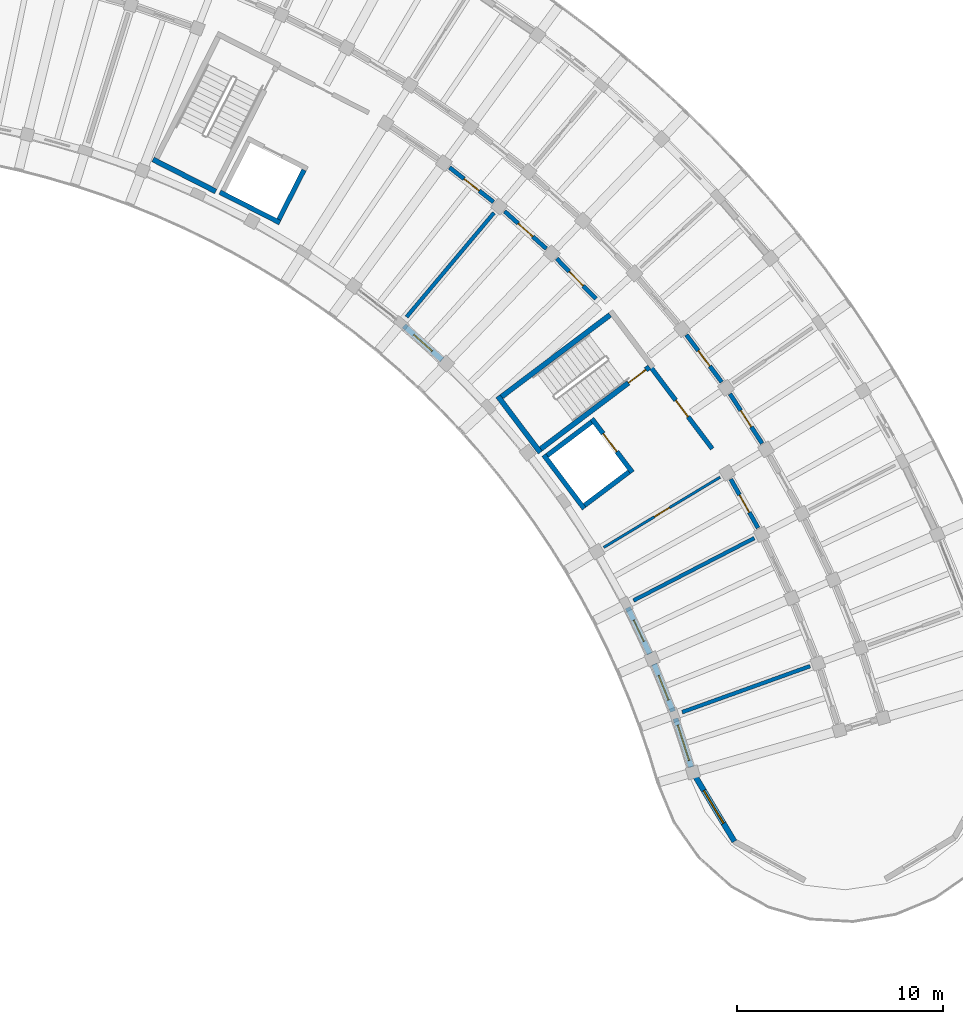
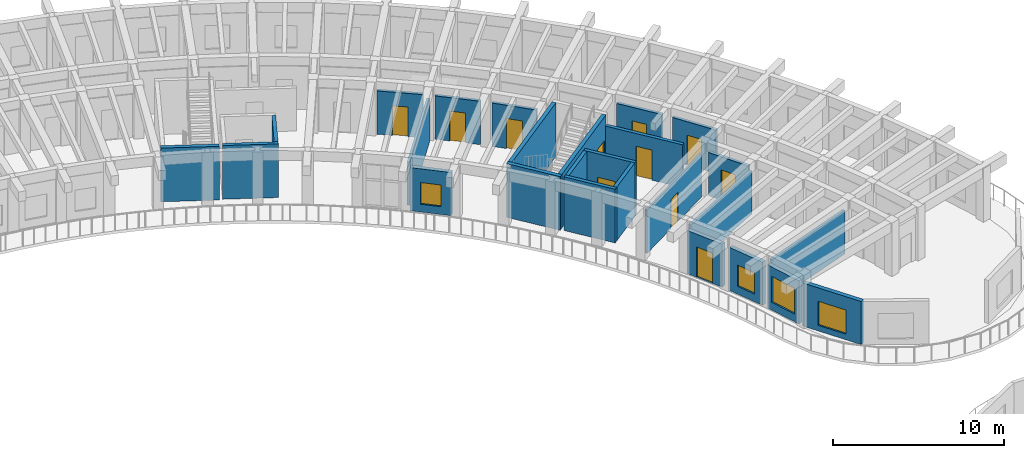
# One storey, part 98 of 128: 26 walls, 11 doors, 4 windows, 15 openings.
"""IFC4 building model written with IfcOpenShell, lengths in metres."""

from ifc_helpers import new_model, si_unit, direction, frame, frame_2d, origin, place, context, subcontext, project, spatial, rectangle, extrude, material, layer, layer_set, type_object, element, fill, save


model = new_model("IFC4")

# Units and contexts
model_context = context("Model", 3, precision=1e-05, world=origin(), true_north=direction((0.0, 1.0)))
body_context = subcontext(model_context, "Body", "Model", "MODEL_VIEW")
ifc_project = project(units=[si_unit("LENGTHUNIT", "METRE"), si_unit("AREAUNIT", "SQUARE_METRE"), si_unit("VOLUMEUNIT", "CUBIC_METRE"), si_unit("PLANEANGLEUNIT", "RADIAN"), si_unit("MASSUNIT", "GRAM", prefix="KILO")], contexts=[model_context])

# Site, building, storey
site_placement = place(None, origin())
site = spatial("IfcSite", under=ifc_project, at=site_placement, CompositionType="ELEMENT")
building_placement = place(site_placement, origin())
building = spatial("IfcBuilding", under=site, at=building_placement, Name="Tanwirah Colonnade Gardens", CompositionType="ELEMENT")
storey_placement = place(building_placement, frame((0.0, 0.0, 4.760009765625)))
storey = spatial("IfcBuildingStorey", under=building, at=storey_placement, Name="L01", CompositionType="ELEMENT", Elevation=4.760009765625)

# Wall, opening, window
ifc_material_1 = material(Name="Limestone architectural precast concrete C40/50", Category="masonry")
ifc_layer_1 = layer(ifc_material_1, 0.27001953125)
ifc_layer_set_1 = layer_set([ifc_layer_1], Name="Limestone architectural precast concrete C40/50")
wall_type_1 = type_object("IfcWallType", Name="EW-PC270", PredefinedType="SOLIDWALL", material=ifc_layer_set_1)
wall_1_placement = place(storey_placement, frame((163.645263671875, 72.708984375, 0.0), z_axis=(0.0, 0.0, 1.0), x_axis=(-0.307206966374, 0.951642726979, 0.0)))
wall_1 = element("IfcWall", 1, at=wall_1_placement, inside=storey, type_object=wall_type_1, Name="Block B L01 IN Precast Facade Wall 0", PredefinedType="SOLIDWALL", context=body_context, shape_type="SweptSolid", body=[
    extrude(rectangle(XDim=2.480224609375, YDim=0.27001953125, at=frame_2d((1.240234375, 0.0))), origin(), (0.0, 0.0, 1.0), 3.074951171875),
])
opening_1_placement = place(wall_1_placement, frame((0.340087890625, 0.0, 0.550048828125)))
opening_1 = element("IfcOpeningElement", 2, at=opening_1_placement, cuts=wall_1, Name="Opening WIN-T14", PredefinedType="OPENING", context=body_context, shape_type="SweptSolid", body=[
    extrude(rectangle(XDim=1.800048828125, YDim=1.85009765625, at=frame_2d((0.89990234375, 0.925048828125))), frame((0.0, 0.14501953125, 0.0), z_axis=(0.0, -1.0, 0.0), x_axis=(1.0, 0.0, 0.0)), (0.0, 0.0, 1.0), 0.2900390625),
])
ifc_material_2 = material(Name="Thermally broken bronze aluminium and solar low-E double glazing", Category="aluminium")
window_type_1 = type_object("IfcWindowType", Name="WIN-T14", PartitioningType="TRIPLE_PANEL_VERTICAL", PredefinedType="WINDOW", material=ifc_material_2)
window_1_placement = place(opening_1_placement, origin())
window_1 = element("IfcWindow", 3, at=window_1_placement, inside=storey, type_object=window_type_1, Name="Facade window B-L01-IN-00", OverallHeight=1.85009765625, OverallWidth=1.800048828125, PartitioningType="SINGLE_PANEL", PredefinedType="WINDOW", context=body_context, shape_type="SweptSolid", body=[
    extrude(rectangle(XDim=1.800048828125, YDim=1.85009765625, at=frame_2d((0.89990234375, 0.925048828125))), frame((0.0, 0.030029296875, 0.0), z_axis=(0.0, -1.0, 0.0), x_axis=(1.0, 0.0, 0.0)), (0.0, 0.0, 1.0), 0.06005859375),
])
fill(opening_1, window_1)

wall_2_placement = place(storey_placement, frame((162.761474609375, 75.407958984375, 0.0), z_axis=(0.0, 0.0, 1.0), x_axis=(-0.369234261829, 0.929336354552, 0.0)))
wall_2 = element("IfcWall", 4, at=wall_2_placement, inside=storey, type_object=wall_type_1, Name="Block B L01 IN Precast Facade Wall 1", PredefinedType="SOLIDWALL", context=body_context, shape_type="SweptSolid", body=[
    extrude(rectangle(XDim=2.480224609375, YDim=0.27001953125, at=frame_2d((1.240234375, 0.0))), origin(), (0.0, 0.0, 1.0), 3.074951171875),
])
opening_2_placement = place(wall_2_placement, frame((0.60009765625, 0.0, 0.550048828125)))
opening_2 = element("IfcOpeningElement", 5, at=opening_2_placement, cuts=wall_2, Name="Opening WIN-T17", PredefinedType="OPENING", context=body_context, shape_type="SweptSolid", body=[
    extrude(rectangle(XDim=1.280029296875, YDim=1.52001953125, at=frame_2d((0.64013671875, 0.760009765625))), frame((0.0, 0.14501953125, 0.0), z_axis=(0.0, -1.0, 0.0), x_axis=(1.0, 0.0, 0.0)), (0.0, 0.0, 1.0), 0.2900390625),
])
window_type_2 = type_object("IfcWindowType", Name="WIN-T17", PartitioningType="SINGLE_PANEL", PredefinedType="WINDOW", material=ifc_material_2)
window_2_placement = place(opening_2_placement, origin())
window_2 = element("IfcWindow", 6, at=window_2_placement, inside=storey, type_object=window_type_2, Name="Facade window B-L01-IN-01", OverallHeight=1.52001953125, OverallWidth=1.280029296875, PartitioningType="SINGLE_PANEL", PredefinedType="WINDOW", context=body_context, shape_type="SweptSolid", body=[
    extrude(rectangle(XDim=1.280029296875, YDim=1.52001953125, at=frame_2d((0.64013671875, 0.760009765625))), frame((0.0, 0.030029296875, 0.0), z_axis=(0.0, -1.0, 0.0), x_axis=(1.0, 0.0, 0.0)), (0.0, 0.0, 1.0), 0.06005859375),
])
fill(opening_2, window_2)

# Wall, opening, door
wall_3_placement = place(storey_placement, frame((161.630126953125, 78.207763671875, 0.0), z_axis=(0.0, 0.0, 1.0), x_axis=(-0.429647001864, 0.902996929003, 0.0)))
wall_3 = element("IfcWall", 7, at=wall_3_placement, inside=storey, type_object=wall_type_1, Name="Block B L01 IN Precast Facade Wall 2", PredefinedType="SOLIDWALL", context=body_context, shape_type="SweptSolid", body=[
    extrude(rectangle(XDim=2.48046875, YDim=0.27001953125, at=frame_2d((1.240234375, 0.0))), origin(), (0.0, 0.0, 1.0), 3.074951171875),
])
opening_3_placement = place(wall_3_placement, frame((0.670166015625, 0.0, 0.0)))
opening_3 = element("IfcOpeningElement", 8, at=opening_3_placement, cuts=wall_3, Name="Opening L01-ED071", PredefinedType="OPENING", context=body_context, shape_type="SweptSolid", body=[
    extrude(rectangle(XDim=1.139892578125, YDim=2.159912109375, at=frame_2d((0.56982421875, 1.080078125))), frame((0.0, 0.14501953125, 0.0), z_axis=(0.0, -1.0, 0.0), x_axis=(1.0, 0.0, 0.0)), (0.0, 0.0, 1.0), 0.2900390625),
])
ifc_material_3 = material(Name="Bronze aluminium glazed balcony door", Category="aluminium")
door_type_1 = type_object("IfcDoorType", Name="ED-BAL114", OperationType="NOTDEFINED", PredefinedType="DOOR", material=ifc_material_3)
door_1_placement = place(opening_3_placement, origin())
door_1 = element("IfcDoor", 9, at=door_1_placement, inside=storey, type_object=door_type_1, Name="Balcony glazed door L01-ED071", OperationType="SINGLE_SWING_RIGHT", OverallHeight=2.159912109375, OverallWidth=1.139892578125, PredefinedType="DOOR", context=body_context, shape_type="SweptSolid", body=[
    extrude(rectangle(XDim=1.139892578125, YDim=2.159912109375, at=frame_2d((0.56982421875, 1.080078125))), frame((0.0, 0.02490234375, 0.0), z_axis=(0.0, -1.0, 0.0), x_axis=(1.0, 0.0, 0.0)), (0.0, 0.0, 1.0), 0.050048828125),
])
fill(opening_3, door_1)

# Wall, opening, window
wall_4_placement = place(storey_placement, frame((151.55224609375, 92.474365234375, 0.0), z_axis=(0.0, 0.0, 1.0), x_axis=(-0.744453022069, 0.667674844466, 0.0)))
wall_4 = element("IfcWall", 10, at=wall_4_placement, inside=storey, type_object=wall_type_1, Name="Block B L01 IN Precast Facade Wall 8", PredefinedType="SOLIDWALL", context=body_context, shape_type="SweptSolid", body=[
    extrude(rectangle(XDim=2.480224609375, YDim=0.27001953125, at=frame_2d((1.240234375, 0.0))), origin(), (0.0, 0.0, 1.0), 3.074951171875),
])
opening_4_placement = place(wall_4_placement, frame((0.64013671875, 0.0, 0.550048828125)))
opening_4 = element("IfcOpeningElement", 11, at=opening_4_placement, cuts=wall_4, Name="Opening WIN-T02", PredefinedType="OPENING", context=body_context, shape_type="SweptSolid", body=[
    extrude(rectangle(XDim=1.199951171875, YDim=1.550048828125, at=frame_2d((0.60009765625, 0.77490234375))), frame((0.0, 0.14501953125, 0.0), z_axis=(0.0, -1.0, 0.0), x_axis=(1.0, 0.0, 0.0)), (0.0, 0.0, 1.0), 0.2900390625),
])
window_type_3 = type_object("IfcWindowType", Name="WIN-T02", PartitioningType="SINGLE_PANEL", PredefinedType="WINDOW", material=ifc_material_2)
window_3_placement = place(opening_4_placement, origin())
window_3 = element("IfcWindow", 12, at=window_3_placement, inside=storey, type_object=window_type_3, Name="Facade window B-L01-IN-08", OverallHeight=1.550048828125, OverallWidth=1.199951171875, PartitioningType="SINGLE_PANEL", PredefinedType="WINDOW", context=body_context, shape_type="SweptSolid", body=[
    extrude(rectangle(XDim=1.199951171875, YDim=1.550048828125, at=frame_2d((0.60009765625, 0.77490234375))), frame((0.0, 0.030029296875, 0.0), z_axis=(0.0, -1.0, 0.0), x_axis=(1.0, 0.0, 0.0)), (0.0, 0.0, 1.0), 0.06005859375),
])
fill(opening_4, window_3)

wall_5_placement = place(storey_placement, frame((165.740966796875, 69.10205078125, 0.0), z_axis=(0.0, 0.0, 1.0), x_axis=(-0.515037642827, 0.857167560324, 0.0)))
wall_5 = element("IfcWall", 13, at=wall_5_placement, inside=storey, type_object=wall_type_1, Name="Block B L01 START Rounded End Wall 5", PredefinedType="SOLIDWALL", context=body_context, shape_type="SweptSolid", body=[
    extrude(rectangle(XDim=3.908447265625, YDim=0.27001953125, at=frame_2d((1.9541015625, 0.0))), origin(), (0.0, 0.0, 1.0), 3.074951171875),
])
opening_5_placement = place(wall_5_placement, frame((1.029052734375, 0.0, 0.39990234375)))
opening_5 = element("IfcOpeningElement", 14, at=opening_5_placement, cuts=wall_5, Name="Opening WIN-END1", PredefinedType="OPENING", context=body_context, shape_type="SweptSolid", body=[
    extrude(rectangle(XDim=1.85009765625, YDim=1.719970703125, at=frame_2d((0.925048828125, 0.85986328125))), frame((0.0, 0.14501953125, 0.0), z_axis=(0.0, -1.0, 0.0), x_axis=(1.0, 0.0, 0.0)), (0.0, 0.0, 1.0), 0.2900390625),
])
window_type_4 = type_object("IfcWindowType", Name="WIN-END1", PartitioningType="TRIPLE_PANEL_VERTICAL", PredefinedType="WINDOW", material=ifc_material_2)
window_4_placement = place(opening_5_placement, origin())
window_4 = element("IfcWindow", 15, at=window_4_placement, inside=storey, type_object=window_type_4, Name="Rounded corner window B-L01-START-5", OverallHeight=1.719970703125, OverallWidth=1.85009765625, PartitioningType="SINGLE_PANEL", PredefinedType="WINDOW", context=body_context, shape_type="SweptSolid", body=[
    extrude(rectangle(XDim=1.85009765625, YDim=1.719970703125, at=frame_2d((0.925048828125, 0.85986328125))), frame((0.0, 0.030029296875, 0.0), z_axis=(0.0, -1.0, 0.0), x_axis=(1.0, 0.0, 0.0)), (0.0, 0.0, 1.0), 0.06005859375),
])
fill(opening_5, window_4)

# Wall, opening, door
ifc_material_4 = material(Name="Precast concrete C40/50", Category="concrete")
ifc_layer_2 = layer(ifc_material_4, 0.205078125)
ifc_layer_set_2 = layer_set([ifc_layer_2], Name="Precast concrete C40/50")
wall_type_2 = type_object("IfcWallType", Name="IW-CORR205", PredefinedType="PARTITIONING", material=ifc_layer_set_2)
wall_6_placement = place(storey_placement, frame((166.89013671875, 84.313232421875, 0.0), z_axis=(0.0, 0.0, 1.0), x_axis=(-0.48819576874, 0.872734147025, 0.0)))
wall_6 = element("IfcWall", 16, at=wall_6_placement, inside=storey, type_object=wall_type_2, Name="Block B L01 IN Corridor Wall 3", PredefinedType="PARTITIONING", context=body_context, shape_type="SweptSolid", body=[
    extrude(rectangle(XDim=2.718017578125, YDim=0.205078125, at=frame_2d((1.35888671875, 0.0))), origin(), (0.0, 0.0, 1.0), 3.090087890625),
])
opening_6_placement = place(wall_6_placement, frame((0.8740234375, 0.0, 0.0)))
opening_6 = element("IfcOpeningElement", 17, at=opening_6_placement, cuts=wall_6, Name="Opening L01-AD843", PredefinedType="OPENING", context=body_context, shape_type="SweptSolid", body=[
    extrude(rectangle(XDim=0.969970703125, YDim=2.14990234375, at=frame_2d((0.48486328125, 1.074951171875))), frame((0.0, 0.112548828125, 0.0), z_axis=(0.0, -1.0, 0.0), x_axis=(1.0, 0.0, 0.0)), (0.0, 0.0, 1.0), 0.22509765625),
])
ifc_material_5 = material(Name="Solid oak fire-resisting apartment entrance door")
door_type_2 = type_object("IfcDoorType", Name="ID-FLT097", OperationType="NOTDEFINED", PredefinedType="DOOR", material=ifc_material_5)
door_2_placement = place(opening_6_placement, origin())
door_2 = element("IfcDoor", 18, at=door_2_placement, inside=storey, type_object=door_type_2, Name="Apartment corridor door L01-AD843", OperationType="SINGLE_SWING_RIGHT", OverallHeight=2.14990234375, OverallWidth=0.969970703125, PredefinedType="DOOR", context=body_context, shape_type="SweptSolid", body=[
    extrude(rectangle(XDim=0.969970703125, YDim=2.14990234375, at=frame_2d((0.48486328125, 1.074951171875))), frame((0.0, 0.02490234375, 0.0), z_axis=(0.0, -1.0, 0.0), x_axis=(1.0, 0.0, 0.0)), (0.0, 0.0, 1.0), 0.050048828125),
])
fill(opening_6, door_2)

wall_7_placement = place(storey_placement, frame((167.085205078125, 88.421142578125, 0.0), z_axis=(0.0, 0.0, 1.0), x_axis=(-0.544643612649, 0.838667595178, 0.0)))
wall_7 = element("IfcWall", 19, at=wall_7_placement, inside=storey, type_object=wall_type_2, Name="Block B L01 OUT Corridor Wall 4", PredefinedType="PARTITIONING", context=body_context, shape_type="SweptSolid", body=[
    extrude(rectangle(XDim=2.863037109375, YDim=0.205078125, at=frame_2d((1.431640625, 0.0))), origin(), (0.0, 0.0, 1.0), 3.090087890625),
])
opening_7_placement = place(wall_7_placement, frame((0.95654296875, 0.0, 0.0)))
opening_7 = element("IfcOpeningElement", 20, at=opening_7_placement, cuts=wall_7, Name="Opening L01-AD845", PredefinedType="OPENING", context=body_context, shape_type="SweptSolid", body=[
    extrude(rectangle(XDim=0.949951171875, YDim=2.1298828125, at=frame_2d((0.47509765625, 1.06494140625))), frame((0.0, 0.112548828125, 0.0), z_axis=(0.0, -1.0, 0.0), x_axis=(1.0, 0.0, 0.0)), (0.0, 0.0, 1.0), 0.22509765625),
])
door_type_3 = type_object("IfcDoorType", Name="ID-FLT095", OperationType="NOTDEFINED", PredefinedType="DOOR", material=ifc_material_5)
door_3_placement = place(opening_7_placement, origin())
door_3 = element("IfcDoor", 21, at=door_3_placement, inside=storey, type_object=door_type_3, Name="Apartment corridor door L01-AD845", OperationType="SINGLE_SWING_RIGHT", OverallHeight=2.1298828125, OverallWidth=0.949951171875, PredefinedType="DOOR", context=body_context, shape_type="SweptSolid", body=[
    extrude(rectangle(XDim=0.949951171875, YDim=2.1298828125, at=frame_2d((0.47509765625, 1.06494140625))), frame((0.0, 0.02490234375, 0.0), z_axis=(0.0, -1.0, 0.0), x_axis=(1.0, 0.0, 0.0)), (0.0, 0.0, 1.0), 0.050048828125),
])
fill(opening_7, door_3)

wall_8_placement = place(storey_placement, frame((165.125732421875, 91.396240234375, 0.0), z_axis=(0.0, 0.0, 1.0), x_axis=(-0.598757763243, 0.800930172335, 0.0)))
wall_8 = element("IfcWall", 22, at=wall_8_placement, inside=storey, type_object=wall_type_2, Name="Block B L01 OUT Corridor Wall 5", PredefinedType="PARTITIONING", context=body_context, shape_type="SweptSolid", body=[
    extrude(rectangle(XDim=2.86328125, YDim=0.205078125, at=frame_2d((1.431640625, 0.0))), origin(), (0.0, 0.0, 1.0), 3.090087890625),
])
opening_8_placement = place(wall_8_placement, frame((0.966552734375, 0.0, 0.0)))
opening_8 = element("IfcOpeningElement", 23, at=opening_8_placement, cuts=wall_8, Name="Opening L01-AD847", PredefinedType="OPENING", context=body_context, shape_type="SweptSolid", body=[
    extrude(rectangle(XDim=0.929931640625, YDim=2.1201171875, at=frame_2d((0.46484375, 1.06005859375))), frame((0.0, 0.112548828125, 0.0), z_axis=(0.0, -1.0, 0.0), x_axis=(1.0, 0.0, 0.0)), (0.0, 0.0, 1.0), 0.22509765625),
])
door_type_4 = type_object("IfcDoorType", Name="ID-FLT093", OperationType="NOTDEFINED", PredefinedType="DOOR", material=ifc_material_5)
door_4_placement = place(opening_8_placement, origin())
door_4 = element("IfcDoor", 24, at=door_4_placement, inside=storey, type_object=door_type_4, Name="Apartment corridor door L01-AD847", OperationType="SINGLE_SWING_LEFT", OverallHeight=2.1201171875, OverallWidth=0.929931640625, PredefinedType="DOOR", context=body_context, shape_type="SweptSolid", body=[
    extrude(rectangle(XDim=0.929931640625, YDim=2.1201171875, at=frame_2d((0.46484375, 1.06005859375))), frame((0.0, 0.02490234375, 0.0), z_axis=(0.0, -1.0, 0.0), x_axis=(1.0, 0.0, 0.0)), (0.0, 0.0, 1.0), 0.050048828125),
])
fill(opening_8, door_4)

wall_9_placement = place(storey_placement, frame((159.01708984375, 95.442626953125, 0.0), z_axis=(0.0, 0.0, 1.0), x_axis=(-0.698840007829, 0.715278018296, 0.0)))
wall_9 = element("IfcWall", 25, at=wall_9_placement, inside=storey, type_object=wall_type_2, Name="Block B L01 IN Corridor Wall 7", PredefinedType="PARTITIONING", context=body_context, shape_type="SweptSolid", body=[
    extrude(rectangle(XDim=2.718017578125, YDim=0.205078125, at=frame_2d((1.35888671875, 0.0))), origin(), (0.0, 0.0, 1.0), 3.090087890625),
])
opening_9_placement = place(wall_9_placement, frame((0.8740234375, 0.0, 0.0)))
opening_9 = element("IfcOpeningElement", 26, at=opening_9_placement, cuts=wall_9, Name="Opening L01-AD851", PredefinedType="OPENING", context=body_context, shape_type="SweptSolid", body=[
    extrude(rectangle(XDim=0.969970703125, YDim=2.14990234375, at=frame_2d((0.48486328125, 1.074951171875))), frame((0.0, 0.112548828125, 0.0), z_axis=(0.0, -1.0, 0.0), x_axis=(1.0, 0.0, 0.0)), (0.0, 0.0, 1.0), 0.22509765625),
])
door_5_placement = place(opening_9_placement, origin())
door_5 = element("IfcDoor", 27, at=door_5_placement, inside=storey, type_object=door_type_2, Name="Apartment corridor door L01-AD851", OperationType="SINGLE_SWING_RIGHT", OverallHeight=2.14990234375, OverallWidth=0.969970703125, PredefinedType="DOOR", context=body_context, shape_type="SweptSolid", body=[
    extrude(rectangle(XDim=0.969970703125, YDim=2.14990234375, at=frame_2d((0.48486328125, 1.074951171875))), frame((0.0, 0.02490234375, 0.0), z_axis=(0.0, -1.0, 0.0), x_axis=(1.0, 0.0, 0.0)), (0.0, 0.0, 1.0), 0.050048828125),
])
fill(opening_9, door_5)

wall_10_placement = place(storey_placement, frame((156.612548828125, 97.870849609375, 0.0), z_axis=(0.0, 0.0, 1.0), x_axis=(-0.744418559135, 0.667713268413, 0.0)))
wall_10 = element("IfcWall", 28, at=wall_10_placement, inside=storey, type_object=wall_type_2, Name="Block B L01 IN Corridor Wall 8", PredefinedType="PARTITIONING", context=body_context, shape_type="SweptSolid", body=[
    extrude(rectangle(XDim=2.71826171875, YDim=0.205078125, at=frame_2d((1.359130859375, 0.0))), origin(), (0.0, 0.0, 1.0), 3.090087890625),
])
opening_10_placement = place(wall_10_placement, frame((0.884033203125, 0.0, 0.0)))
opening_10 = element("IfcOpeningElement", 29, at=opening_10_placement, cuts=wall_10, Name="Opening L01-AD853", PredefinedType="OPENING", context=body_context, shape_type="SweptSolid", body=[
    extrude(rectangle(XDim=0.949951171875, YDim=2.1298828125, at=frame_2d((0.47509765625, 1.06494140625))), frame((0.0, 0.112548828125, 0.0), z_axis=(0.0, -1.0, 0.0), x_axis=(1.0, 0.0, 0.0)), (0.0, 0.0, 1.0), 0.22509765625),
])
door_6_placement = place(opening_10_placement, origin())
door_6 = element("IfcDoor", 30, at=door_6_placement, inside=storey, type_object=door_type_3, Name="Apartment corridor door L01-AD853", OperationType="SINGLE_SWING_LEFT", OverallHeight=2.1298828125, OverallWidth=0.949951171875, PredefinedType="DOOR", context=body_context, shape_type="SweptSolid", body=[
    extrude(rectangle(XDim=0.949951171875, YDim=2.1298828125, at=frame_2d((0.47509765625, 1.06494140625))), frame((0.0, 0.02490234375, 0.0), z_axis=(0.0, -1.0, 0.0), x_axis=(1.0, 0.0, 0.0)), (0.0, 0.0, 1.0), 0.050048828125),
])
fill(opening_10, door_6)

wall_11_placement = place(storey_placement, frame((154.05322265625, 100.135498046875, 0.0), z_axis=(0.0, 0.0, 1.0), x_axis=(-0.786835457019, 0.617162833924, 0.0)))
wall_11 = element("IfcWall", 31, at=wall_11_placement, inside=storey, type_object=wall_type_2, Name="Block B L01 IN Corridor Wall 9", PredefinedType="PARTITIONING", context=body_context, shape_type="SweptSolid", body=[
    extrude(rectangle(XDim=2.718017578125, YDim=0.205078125, at=frame_2d((1.35888671875, 0.0))), origin(), (0.0, 0.0, 1.0), 3.090087890625),
])
opening_11_placement = place(wall_11_placement, frame((0.89404296875, 0.0, 0.0)))
opening_11 = element("IfcOpeningElement", 32, at=opening_11_placement, cuts=wall_11, Name="Opening L01-AD856", PredefinedType="OPENING", context=body_context, shape_type="SweptSolid", body=[
    extrude(rectangle(XDim=0.929931640625, YDim=2.1201171875, at=frame_2d((0.46484375, 1.06005859375))), frame((0.0, 0.112548828125, 0.0), z_axis=(0.0, -1.0, 0.0), x_axis=(1.0, 0.0, 0.0)), (0.0, 0.0, 1.0), 0.22509765625),
])
door_7_placement = place(opening_11_placement, origin())
door_7 = element("IfcDoor", 33, at=door_7_placement, inside=storey, type_object=door_type_4, Name="Apartment corridor door L01-AD856", OperationType="SINGLE_SWING_RIGHT", OverallHeight=2.1201171875, OverallWidth=0.929931640625, PredefinedType="DOOR", context=body_context, shape_type="SweptSolid", body=[
    extrude(rectangle(XDim=0.929931640625, YDim=2.1201171875, at=frame_2d((0.46484375, 1.06005859375))), frame((0.0, 0.02490234375, 0.0), z_axis=(0.0, -1.0, 0.0), x_axis=(1.0, 0.0, 0.0)), (0.0, 0.0, 1.0), 0.050048828125),
])
fill(opening_11, door_7)

# Walls
ifc_layer_3 = layer(ifc_material_4, 0.18505859375)
ifc_layer_set_3 = layer_set([ifc_layer_3], Name="Precast concrete C40/50")
wall_type_3 = type_object("IfcWallType", Name="IW-DEM185", PredefinedType="PARTITIONING", material=ifc_layer_set_3)
wall_12_placement = place(storey_placement, frame((163.204345703125, 75.3759765625, 0.0), z_axis=(0.0, 0.0, 1.0), x_axis=(0.941005714099, 0.338390670725, 0.0)))
element("IfcWall", 34, at=wall_12_placement, inside=storey, type_object=wall_type_3, Name="Block B L01 Inner Radial Partition 0", PredefinedType="PARTITIONING", context=body_context, shape_type="SweptSolid", body=[
    extrude(rectangle(XDim=6.60009765625, YDim=0.18505859375, at=frame_2d((3.300048828125, 0.0))), origin(), (0.0, 0.0, 1.0), 3.090087890625),
])
wall_13_placement = place(storey_placement, frame((160.842529296875, 80.793701171875, 0.0), z_axis=(0.0, 0.0, 1.0), x_axis=(0.888346696024, 0.459173330741, 0.0)))
element("IfcWall", 35, at=wall_13_placement, inside=storey, type_object=wall_type_3, Name="Block B L01 Inner Radial Partition 2", PredefinedType="PARTITIONING", context=body_context, shape_type="SweptSolid", body=[
    extrude(rectangle(XDim=6.599853515625, YDim=0.18505859375, at=frame_2d((3.2998046875, 0.0))), origin(), (0.0, 0.0, 1.0), 3.090087890625),
])
wall_14_placement = place(storey_placement, frame((149.8291015625, 94.55712890625, 0.0), z_axis=(0.0, 0.0, 1.0), x_axis=(0.642789470807, 0.766042881449, 0.0)))
element("IfcWall", 36, at=wall_14_placement, inside=storey, type_object=wall_type_3, Name="Block B L01 Inner Radial Partition 8", PredefinedType="PARTITIONING", context=body_context, shape_type="SweptSolid", body=[
    extrude(rectangle(XDim=6.60009765625, YDim=0.18505859375, at=frame_2d((3.300048828125, 0.0))), origin(), (0.0, 0.0, 1.0), 3.090087890625),
])

# Wall, opening, door
ifc_material_6 = material(Name="Autoclaved aerated masonry blockwork", Category="masonry")
ifc_layer_4 = layer(ifc_material_6, 0.219970703125)
ifc_layer_set_4 = layer_set([ifc_layer_4], Name="Autoclaved aerated masonry blockwork")
wall_type_4 = type_object("IfcWallType", Name="IW-FFL220", PredefinedType="PARTITIONING", material=ifc_layer_set_4)
wall_15_placement = place(storey_placement, frame((161.7177734375, 92.072509765625, 0.0), z_axis=(0.0, 0.0, 1.0), x_axis=(0.601792209296, -0.79865270101, 0.0)))
wall_15 = element("IfcWall", 37, at=wall_15_placement, inside=storey, type_object=wall_type_4, Name="CORE-B1 L01 Enclosed Lobby Fire Wall", PredefinedType="PARTITIONING", context=body_context, shape_type="SweptSolid", body=[
    extrude(rectangle(XDim=4.89990234375, YDim=0.219970703125, at=frame_2d((2.449951171875, 0.0))), origin(), (0.0, 0.0, 1.0), 3.06005859375),
])
opening_12_placement = place(wall_15_placement, frame((1.949951171875, 0.0, 0.0)))
opening_12 = element("IfcOpeningElement", 38, at=opening_12_placement, cuts=wall_15, Name="Opening L01-LD081", PredefinedType="OPENING", context=body_context, shape_type="SweptSolid", body=[
    extrude(rectangle(XDim=1.0, YDim=2.14990234375, at=frame_2d((0.5, 1.074951171875))), frame((0.0, 0.119873046875, 0.0), z_axis=(0.0, -1.0, 0.0), x_axis=(1.0, 0.0, 0.0)), (0.0, 0.0, 1.0), 0.239990234375),
])
ifc_material_7 = material(Name="Acoustic fire-resisting lobby door")
door_type_5 = type_object("IfcDoorType", Name="ID-FFL100", OperationType="NOTDEFINED", PredefinedType="DOOR", material=ifc_material_7)
door_8_placement = place(opening_12_placement, origin())
door_8 = element("IfcDoor", 39, at=door_8_placement, inside=storey, type_object=door_type_5, Name="CORE-B1 L01 Lobby Fire Door L01-LD081", OperationType="SINGLE_SWING_RIGHT", OverallHeight=2.14990234375, OverallWidth=1.0, PredefinedType="DOOR", context=body_context, shape_type="SweptSolid", body=[
    extrude(rectangle(XDim=1.0, YDim=2.14990234375, at=frame_2d((0.5, 1.074951171875))), frame((0.0, 0.02490234375, 0.0), z_axis=(0.0, -1.0, 0.0), x_axis=(1.0, 0.0, 0.0)), (0.0, 0.0, 1.0), 0.050048828125),
])
fill(opening_12, door_8)

ifc_material_8 = material(Name="Moisture-resistant gypsum stud partition")
ifc_layer_5 = layer(ifc_material_8, 0.125)
ifc_layer_set_5 = layer_set([ifc_layer_5], Name="Moisture-resistant gypsum stud partition")
wall_type_5 = type_object("IfcWallType", Name="IW-INT125", PredefinedType="PARTITIONING", material=ifc_layer_set_5)
wall_16_placement = place(storey_placement, frame((159.399169921875, 83.3740234375, 0.0), z_axis=(0.0, 0.0, 1.0), x_axis=(0.85616819337, 0.516697227263, 0.0)))
wall_16 = element("IfcWall", 40, at=wall_16_placement, inside=storey, type_object=wall_type_5, Name="Block B L01 Inner Radial Partition 3", PredefinedType="PARTITIONING", context=body_context, shape_type="SweptSolid", body=[
    extrude(rectangle(XDim=6.599853515625, YDim=0.125, at=frame_2d((3.2998046875, 0.0))), origin(), (0.0, 0.0, 1.0), 3.090087890625),
])
opening_13_placement = place(wall_16_placement, frame((2.864990234375, 0.0, 0.0)))
opening_13 = element("IfcOpeningElement", 41, at=opening_13_placement, cuts=wall_16, Name="Opening L01-RD844", PredefinedType="OPENING", context=body_context, shape_type="SweptSolid", body=[
    extrude(rectangle(XDim=0.8701171875, YDim=2.080078125, at=frame_2d((0.43505859375, 1.0400390625))), frame((0.0, 0.072509765625, 0.0), z_axis=(0.0, -1.0, 0.0), x_axis=(1.0, 0.0, 0.0)), (0.0, 0.0, 1.0), 0.14501953125),
])
ifc_material_9 = material(Name="Painted hardwood study door", Category="wood")
door_type_6 = type_object("IfcDoorType", Name="ID-RM087", OperationType="NOTDEFINED", PredefinedType="DOOR", material=ifc_material_9)
door_9_placement = place(opening_13_placement, origin())
door_9 = element("IfcDoor", 42, at=door_9_placement, inside=storey, type_object=door_type_6, Name="Internal apartment door L01-RD844", OperationType="SINGLE_SWING_RIGHT", OverallHeight=2.080078125, OverallWidth=0.8701171875, PredefinedType="DOOR", context=body_context, shape_type="SweptSolid", body=[
    extrude(rectangle(XDim=0.8701171875, YDim=2.080078125, at=frame_2d((0.43505859375, 1.0400390625))), frame((0.0, 0.02490234375, 0.0), z_axis=(0.0, -1.0, 0.0), x_axis=(1.0, 0.0, 0.0)), (0.0, 0.0, 1.0), 0.050048828125),
])
fill(opening_13, door_9)

# Walls
ifc_material_10 = material(Name="Concrete C45/55", Category="concrete")
ifc_layer_6 = layer(ifc_material_10, 0.25)
ifc_layer_set_6 = layer_set([ifc_layer_6], Name="Concrete C45/55")
wall_type_6 = type_object("IfcWallType", Name="SW-CORE250", PredefinedType="SHEAR", material=ifc_layer_set_6)
wall_17_placement = place(storey_placement, frame((159.706787109375, 94.657958984375, 0.0), z_axis=(0.0, 0.0, 1.0), x_axis=(-0.798639633744, -0.601809550782, 0.0)))
element("IfcWall", 43, at=wall_17_placement, inside=storey, type_object=wall_type_6, Name="CORE-B1 L01 Stair Shaft Shear Wall LEFT", PredefinedType="SHEAR", context=body_context, shape_type="SweptSolid", body=[
    extrude(rectangle(XDim=6.599853515625, YDim=0.25, at=frame_2d((3.2998046875, 0.0))), origin(), (0.0, 0.0, 1.0), 3.830078125),
])
wall_18_placement = place(storey_placement, frame((154.2607421875, 90.710693359375, 0.0), z_axis=(0.0, 0.0, 1.0), x_axis=(0.601825826579, -0.798627368967, 0.0)))
element("IfcWall", 44, at=wall_18_placement, inside=storey, type_object=wall_type_6, Name="CORE-B1 L01 Stair Shaft Shear Wall FAR", PredefinedType="SHEAR", context=body_context, shape_type="SweptSolid", body=[
    extrude(rectangle(XDim=3.420166015625, YDim=0.25, at=frame_2d((1.7099609375, 0.0))), origin(), (0.0, 0.0, 1.0), 3.830078125),
])

# Wall, opening, door
wall_19_placement = place(storey_placement, frame((161.614501953125, 92.126220703125, 0.0), z_axis=(0.0, 0.0, 1.0), x_axis=(-0.798639633744, -0.601809550782, 0.0)))
wall_19 = element("IfcWall", 45, at=wall_19_placement, inside=storey, type_object=wall_type_6, Name="CORE-B1 L01 Stair Shaft Shear Wall RIGHT", PredefinedType="SHEAR", context=body_context, shape_type="SweptSolid", body=[
    extrude(rectangle(XDim=6.599853515625, YDim=0.25, at=frame_2d((3.2998046875, 0.0))), origin(), (0.0, 0.0, 1.0), 3.830078125),
])
opening_14_placement = place(wall_19_placement, frame((0.219970703125, 0.0, 0.0)))
opening_14 = element("IfcOpeningElement", 46, at=opening_14_placement, cuts=wall_19, Name="Opening L01-SD067", PredefinedType="OPENING", context=body_context, shape_type="SweptSolid", body=[
    extrude(rectangle(XDim=1.050048828125, YDim=2.14990234375, at=frame_2d((0.52490234375, 1.074951171875))), frame((0.0, 0.135009765625, 0.0), z_axis=(0.0, -1.0, 0.0), x_axis=(1.0, 0.0, 0.0)), (0.0, 0.0, 1.0), 0.27001953125),
])
ifc_material_11 = material(Name="Steel fire-resisting stair enclosure door", Category="steel")
door_type_7 = type_object("IfcDoorType", Name="ID-ST105", OperationType="NOTDEFINED", PredefinedType="DOOR", material=ifc_material_11)
door_10_placement = place(opening_14_placement, origin())
door_10 = element("IfcDoor", 47, at=door_10_placement, inside=storey, type_object=door_type_7, Name="CORE-B1 L01 Stair Fire Door L01-SD067", OperationType="SINGLE_SWING_RIGHT", OverallHeight=2.14990234375, OverallWidth=1.050048828125, PredefinedType="DOOR", context=body_context, shape_type="SweptSolid", body=[
    extrude(rectangle(XDim=1.050048828125, YDim=2.14990234375, at=frame_2d((0.52490234375, 1.074951171875))), frame((0.0, 0.02490234375, 0.0), z_axis=(0.0, -1.0, 0.0), x_axis=(1.0, 0.0, 0.0)), (0.0, 0.0, 1.0), 0.050048828125),
])
fill(opening_14, door_10)

# Wall
wall_20_placement = place(storey_placement, frame((137.51953125, 102.203369140625, 0.0), z_axis=(0.0, 0.0, 1.0), x_axis=(0.891003540237, -0.453996356025, 0.0)))
element("IfcWall", 48, at=wall_20_placement, inside=storey, type_object=wall_type_6, Name="CORE-B2 L01 Stair Shaft Shear Wall FAR", PredefinedType="SHEAR", context=body_context, shape_type="SweptSolid", body=[
    extrude(rectangle(XDim=3.420166015625, YDim=0.25, at=frame_2d((1.7099609375, 0.0))), origin(), (0.0, 0.0, 1.0), 3.830078125),
])

# Wall, opening, door
ifc_layer_7 = layer(ifc_material_10, 0.22998046875)
ifc_layer_set_7 = layer_set([ifc_layer_7], Name="Concrete C45/55")
wall_type_7 = type_object("IfcWallType", Name="SW-LIFT230", PredefinedType="SHEAR", material=ifc_layer_set_7)
wall_21_placement = place(storey_placement, frame((158.827392578125, 89.618896484375, 0.0), z_axis=(0.0, 0.0, 1.0), x_axis=(0.601819781152, -0.798631924615, 0.0)))
wall_21 = element("IfcWall", 49, at=wall_21_placement, inside=storey, type_object=wall_type_7, Name="CORE-B1 L01 Lift Shaft Wall FRONT", PredefinedType="SHEAR", context=body_context, shape_type="SweptSolid", body=[
    extrude(rectangle(XDim=3.260009765625, YDim=0.22998046875, at=frame_2d((1.6298828125, 0.0))), origin(), (0.0, 0.0, 1.0), 3.830078125),
])
opening_15_placement = place(wall_21_placement, frame((0.89990234375, 0.0, 0.0)))
opening_15 = element("IfcOpeningElement", 50, at=opening_15_placement, cuts=wall_21, Name="Opening L01-LD-FL-B1", PredefinedType="OPENING", context=body_context, shape_type="SweptSolid", body=[
    extrude(rectangle(XDim=1.10009765625, YDim=2.14990234375, at=frame_2d((0.550048828125, 1.074951171875))), frame((0.0, 0.125, 0.0), z_axis=(0.0, -1.0, 0.0), x_axis=(1.0, 0.0, 0.0)), (0.0, 0.0, 1.0), 0.25),
])
ifc_material_12 = material(Name="Stainless steel sliding fire lift landing door", Category="steel")
door_type_8 = type_object("IfcDoorType", Name="LD-FF11", OperationType="DOUBLE_DOOR_SLIDING", PredefinedType="DOOR", material=ifc_material_12)
door_11_placement = place(opening_15_placement, origin())
door_11 = element("IfcDoor", 51, at=door_11_placement, inside=storey, type_object=door_type_8, Name="Lift FL-B1 L01 Sliding Landing Door", OperationType="DOUBLE_DOOR_SLIDING", OverallHeight=2.14990234375, OverallWidth=1.10009765625, PredefinedType="DOOR", context=body_context, shape_type="SweptSolid", body=[
    extrude(rectangle(XDim=1.10009765625, YDim=2.14990234375, at=frame_2d((0.550048828125, 1.074951171875))), frame((0.0, 0.02490234375, 0.0), z_axis=(0.0, -1.0, 0.0), x_axis=(1.0, 0.0, 0.0)), (0.0, 0.0, 1.0), 0.050048828125),
])
fill(opening_15, door_11)

# Walls
wall_22_placement = place(storey_placement, frame((156.4873046875, 87.855712890625, 0.0), z_axis=(0.0, 0.0, 1.0), x_axis=(0.601819781152, -0.798631924615, 0.0)))
element("IfcWall", 52, at=wall_22_placement, inside=storey, type_object=wall_type_7, Name="CORE-B1 L01 Lift Shaft Wall BACK", PredefinedType="SHEAR", context=body_context, shape_type="SweptSolid", body=[
    extrude(rectangle(XDim=3.260009765625, YDim=0.22998046875, at=frame_2d((1.6298828125, 0.0))), origin(), (0.0, 0.0, 1.0), 3.830078125),
])
for number, where, z_axis, x_axis, name in (
    (53, (158.8046875, 89.4580078125, 0.0), (0.0, 0.0, 1.0), (-0.798608971494, -0.601850239387, 0.0), "CORE-B1 L01 Lift Shaft Wall SIDEA"),
    (54, (160.628173828125, 87.0380859375, 0.0), (0.0, 0.0, 1.0), (-0.798608971494, -0.601850239387, 0.0), "CORE-B1 L01 Lift Shaft Wall SIDEB"),
):
    element("IfcWall", number, at=place(storey_placement, frame(where, z_axis=z_axis, x_axis=x_axis)), inside=storey, type_object=wall_type_7, Name=name, PredefinedType="SHEAR", context=body_context, shape_type="SweptSolid", body=[
        extrude(rectangle(XDim=2.699951171875, YDim=0.22998046875, at=frame_2d((1.35009765625, 0.0))), origin(), (0.0, 0.0, 1.0), 3.830078125),
    ])
wall_23_placement = place(storey_placement, frame((140.772216796875, 100.61328125, 0.0), z_axis=(0.0, 0.0, 1.0), x_axis=(0.891016635648, -0.453970654337, 0.0)))
element("IfcWall", 55, at=wall_23_placement, inside=storey, type_object=wall_type_7, Name="CORE-B2 L01 Lift Shaft Wall BACK", PredefinedType="SHEAR", context=body_context, shape_type="SweptSolid", body=[
    extrude(rectangle(XDim=3.260009765625, YDim=0.22998046875, at=frame_2d((1.6298828125, 0.0))), origin(), (0.0, 0.0, 1.0), 3.830078125),
])
wall_24_placement = place(storey_placement, frame((144.8525390625, 101.693603515625, 0.0), z_axis=(0.0, 0.0, 1.0), x_axis=(-0.454036857101, -0.890982902414, 0.0)))
element("IfcWall", 56, at=wall_24_placement, inside=storey, type_object=wall_type_7, Name="CORE-B2 L01 Lift Shaft Wall SIDEB", PredefinedType="SHEAR", context=body_context, shape_type="SweptSolid", body=[
    extrude(rectangle(XDim=2.699951171875, YDim=0.22998046875, at=frame_2d((1.35009765625, 0.0))), origin(), (0.0, 0.0, 1.0), 3.830078125),
])

save(model, "model.ifc")
